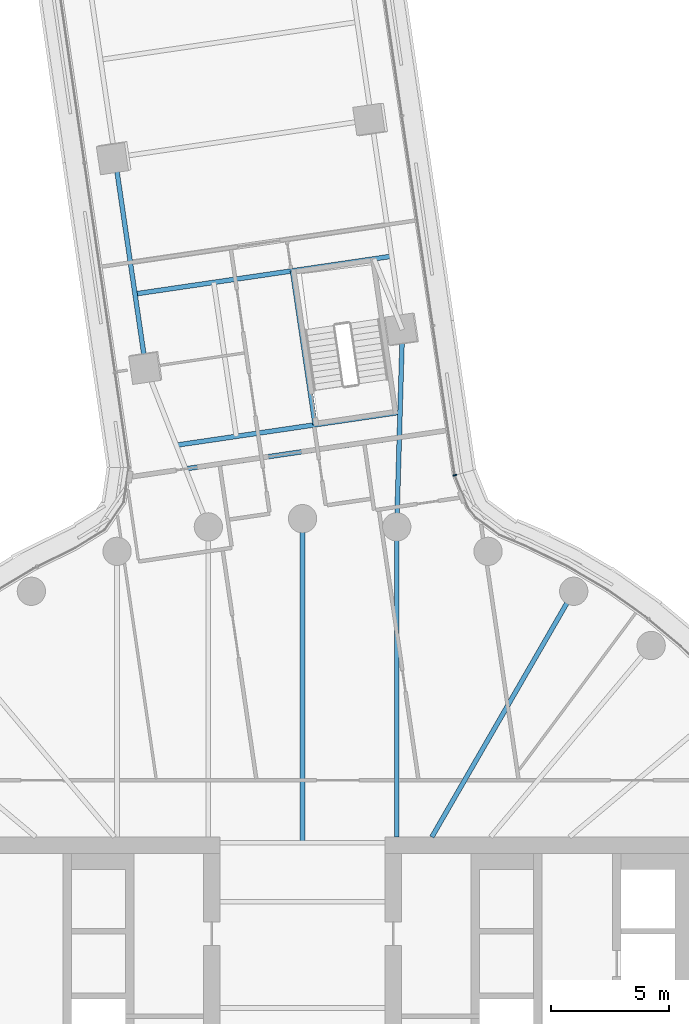
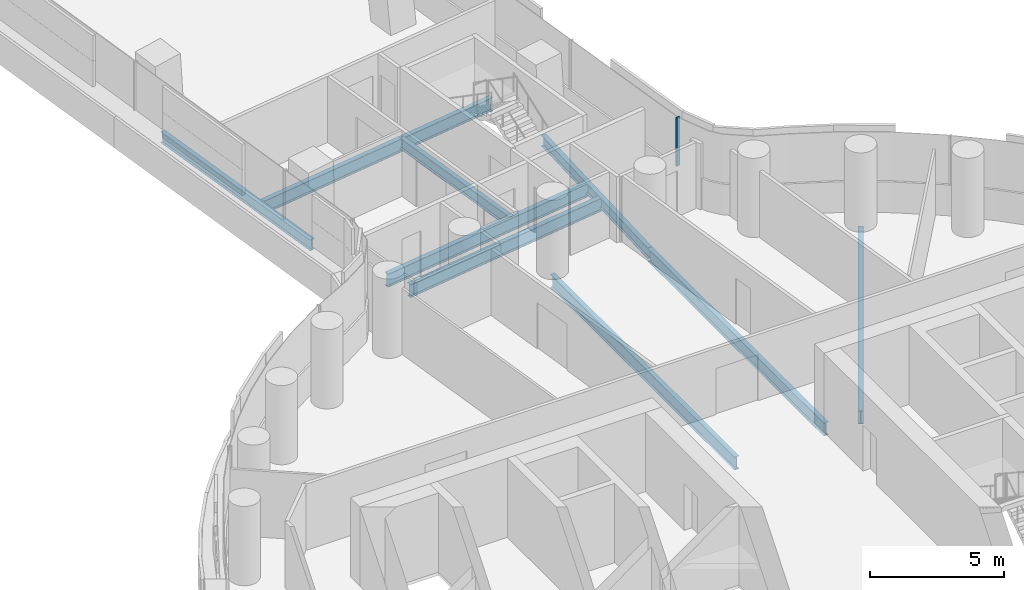
# One storey, part 14 of 31: 9 beams, 1 member, 1 element without a shape of its own.
"""IFC4 building model written with IfcOpenShell, lengths in metres."""

from ifc_helpers import new_model, si_unit, direction, frame, origin, origin_2d, place, context, subcontext, project, spatial, rectangle, i_section, extrude, material, layer, layer_set, material_profile, profile_set, type_object, element, aggregate, save


model = new_model("IFC4")

# Units and contexts
model_context = context("Model", 3, precision=1e-05, world=origin(), true_north=direction((0.0, 1.0)))
body_context = subcontext(model_context, "Body", "Model", "MODEL_VIEW")
ifc_project = project(units=[si_unit("LENGTHUNIT", "METRE"), si_unit("AREAUNIT", "SQUARE_METRE"), si_unit("VOLUMEUNIT", "CUBIC_METRE"), si_unit("PLANEANGLEUNIT", "RADIAN"), si_unit("MASSUNIT", "GRAM", prefix="KILO")], contexts=[model_context])

# Site, building, storey
site_placement = place(None, origin())
site = spatial("IfcSite", under=ifc_project, at=site_placement, CompositionType="ELEMENT")
building_placement = place(site_placement, origin())
building = spatial("IfcBuilding", under=site, at=building_placement, Name="Tamarind Cross Interchange Tower", CompositionType="ELEMENT")
storey_placement = place(building_placement, frame((0.0, 0.0, 64.0)))
storey = spatial("IfcBuildingStorey", under=building, at=storey_placement, Name="L14", CompositionType="ELEMENT", Elevation=64.0)

# Beams
ifc_material_1 = material(Name="Steel Q355B", Category="steel")
ifc_material_profile_1 = material_profile(ifc_material_1, i_section(OverallWidth=0.198974609375, OverallDepth=0.49609375, WebThickness=0.009033203125, FlangeThickness=0.013916015625, FilletRadius=0.012939453125, at=origin_2d()), Name="HN 496x199x9x14")
ifc_profile_set_1 = profile_set([ifc_material_profile_1], Name="Steel Q355B")
beam_type_1 = type_object("IfcBeamType", Name="Composite beam HN 496x199x9x14 Q355B", PredefinedType="BEAM", material=ifc_profile_set_1)
beam_1_placement = place(storey_placement, frame((-7.956298828125, 38.316650390625, -0.387939453125), z_axis=(0.14534716703, -0.989380715921, 0.0), x_axis=(0.989380715921, 0.14534716703, 0.0)))
element("IfcBeam", 1, at=beam_1_placement, inside=storey, type_object=beam_type_1, Name="Beam N-edgeep3", PredefinedType="BEAM", context=body_context, shape_type="SweptSolid", body=[
    extrude(i_section(OverallWidth=0.198974609375, OverallDepth=0.49609375, WebThickness=0.009033203125, FlangeThickness=0.013916015625, FilletRadius=0.012939453125, at=origin_2d()), origin(), (0.0, 0.0, 1.0), 8.999755859375),
])
beam_2_placement = place(storey_placement, frame((4.235107421875, 31.01123046875, -0.387939453125), z_axis=(-0.028838927224, -0.99958407164, 0.0), x_axis=(0.99958407164, -0.028838927224, 0.0)))
element("IfcBeam", 2, at=beam_2_placement, inside=storey, type_object=beam_type_1, Name="Beam N-linkem", PredefinedType="BEAM", context=body_context, shape_type="SweptSolid", body=[
    extrude(i_section(OverallWidth=0.198974609375, OverallDepth=0.49609375, WebThickness=0.009033203125, FlangeThickness=0.013916015625, FilletRadius=0.012939453125, at=origin_2d()), origin(), (0.0, 0.0, 1.0), 8.364013671875),
])
beam_3_placement = place(storey_placement, frame((0.53173828125, 26.980224609375, -0.387939453125), z_axis=(-0.145376844304, 0.989376355661, 0.0), x_axis=(-0.989376355661, -0.145376844304, 0.0)))
element("IfcBeam", 3, at=beam_3_placement, inside=storey, type_object=beam_type_1, Name="Beam N-tr1", PredefinedType="BEAM", context=body_context, shape_type="SweptSolid", body=[
    extrude(i_section(OverallWidth=0.198974609375, OverallDepth=0.49609375, WebThickness=0.009033203125, FlangeThickness=0.013916015625, FilletRadius=0.012939453125, at=origin_2d()), origin(), (0.0, 0.0, 1.0), 6.599853515625),
])
ifc_material_profile_2 = material_profile(ifc_material_1, i_section(OverallWidth=0.198974609375, OverallDepth=0.595947265625, WebThickness=0.010009765625, FlangeThickness=0.014892578125, FilletRadius=0.012939453125, at=origin_2d()), Name="HN 596x199x10x15")
ifc_profile_set_2 = profile_set([ifc_material_profile_2], Name="Steel Q355B")
beam_type_2 = type_object("IfcBeamType", Name="Composite beam HN 596x199x10x15 Q355B", PredefinedType="BEAM", material=ifc_profile_set_2)
beam_4_placement = place(storey_placement, frame((11.5, 19.918701171875, -0.43798828125), z_axis=(-0.499993565836, -0.866029118519, 0.0), x_axis=(0.866029118519, -0.499993565836, 0.0)))
element("IfcBeam", 4, at=beam_4_placement, inside=storey, type_object=beam_type_2, Name="Beam HH06", PredefinedType="BEAM", context=body_context, shape_type="SweptSolid", body=[
    extrude(i_section(OverallWidth=0.198974609375, OverallDepth=0.595947265625, WebThickness=0.010009765625, FlangeThickness=0.014892578125, FilletRadius=0.012939453125, at=origin_2d()), origin(), (0.0, 0.0, 1.0), 12.030517578125),
])
beam_5_placement = place(storey_placement, frame((3.993896484375, 22.650634765625, -0.43798828125), z_axis=(0.0, -1.0, 0.0), x_axis=(1.0, 0.0, 0.0)))
element("IfcBeam", 5, at=beam_5_placement, inside=storey, type_object=beam_type_2, Name="Beam HH08", PredefinedType="BEAM", context=body_context, shape_type="SweptSolid", body=[
    extrude(i_section(OverallWidth=0.198974609375, OverallDepth=0.595947265625, WebThickness=0.010009765625, FlangeThickness=0.014892578125, FilletRadius=0.012939453125, at=origin_2d()), origin(), (0.0, 0.0, 1.0), 13.150634765625),
])
beam_6_placement = place(storey_placement, frame((0.0, 23.0, -0.43798828125), z_axis=(0.0, -1.0, 0.0), x_axis=(1.0, 0.0, 0.0)))
element("IfcBeam", 6, at=beam_6_placement, inside=storey, type_object=beam_type_2, Name="Beam HH09", PredefinedType="BEAM", context=body_context, shape_type="SweptSolid", body=[
    extrude(i_section(OverallWidth=0.198974609375, OverallDepth=0.595947265625, WebThickness=0.010009765625, FlangeThickness=0.014892578125, FilletRadius=0.012939453125, at=origin_2d()), origin(), (0.0, 0.0, 1.0), 13.75),
])
ifc_material_profile_3 = material_profile(ifc_material_1, i_section(OverallWidth=0.199951171875, OverallDepth=0.60009765625, WebThickness=0.010986328125, FlangeThickness=0.01708984375, FilletRadius=0.012939453125, at=origin_2d()), Name="HN 600x200x11x17")
ifc_profile_set_3 = profile_set([ifc_material_profile_3], Name="Steel Q355B")
beam_type_3 = type_object("IfcBeamType", Name="Composite beam HN 600x200x11x17 Q355B", PredefinedType="BEAM", material=ifc_profile_set_3)
beam_7_placement = place(storey_placement, frame((4.134033203125, 27.509521484375, -0.43994140625), z_axis=(-0.989377988892, -0.145365728754, 0.0), x_axis=(0.145365728754, -0.989377988892, 0.0)))
element("IfcBeam", 7, at=beam_7_placement, inside=storey, type_object=beam_type_3, Name="Beam N-x268", PredefinedType="BEAM", context=body_context, shape_type="SweptSolid", body=[
    extrude(i_section(OverallWidth=0.199951171875, OverallDepth=0.60009765625, WebThickness=0.010986328125, FlangeThickness=0.01708984375, FilletRadius=0.012939453125, at=origin_2d()), origin(), (0.0, 0.0, 1.0), 9.58984375),
])
beam_8_placement = place(storey_placement, frame((3.777099609375, 34.1279296875, -0.43994140625), z_axis=(-0.989376512018, -0.145375780194, 0.0), x_axis=(0.145375780194, -0.989376512018, 0.0)))
element("IfcBeam", 8, at=beam_8_placement, inside=storey, type_object=beam_type_3, Name="Beam N-x334", PredefinedType="BEAM", context=body_context, shape_type="SweptSolid", body=[
    extrude(i_section(OverallWidth=0.199951171875, OverallDepth=0.60009765625, WebThickness=0.010986328125, FlangeThickness=0.01708984375, FilletRadius=0.012939453125, at=origin_2d()), origin(), (0.0, 0.0, 1.0), 11.0),
])
beam_9_placement = place(storey_placement, frame((4.103271484375, 26.443603515625, -0.43994140625), z_axis=(-0.989379886196, -0.145352814872, 0.0), x_axis=(0.145352814872, -0.989379886196, 0.0)))
element("IfcBeam", 9, at=beam_9_placement, inside=storey, type_object=beam_type_3, Name="Beam N-x258", PredefinedType="BEAM", context=body_context, shape_type="SweptSolid", body=[
    extrude(i_section(OverallWidth=0.199951171875, OverallDepth=0.60009765625, WebThickness=0.010986328125, FlangeThickness=0.01708984375, FilletRadius=0.012939453125, at=origin_2d()), origin(), (0.0, 0.0, 1.0), 9.16064453125),
])

# Curtain wall, member
ifc_material_2 = material(Name="Aluminium 6063-T6", Category="aluminium")
ifc_layer = layer(ifc_material_2, 0.159912109375)
ifc_layer_set = layer_set([ifc_layer], Name="Aluminium 6063-T6")
curtain_wall_type = type_object("IfcCurtainWallType", Name="Office curtain wall, 9.0 m bays", PredefinedType="NOTDEFINED", material=ifc_layer_set)
curtain_wall_placement = place(storey_placement, origin())
curtain_wall = element("IfcCurtainWall", 10, at=curtain_wall_placement, inside=storey, type_object=curtain_wall_type, Name="CWS-L14-11", PredefinedType="NOTDEFINED")
ifc_material_profile_4 = material_profile(ifc_material_2, rectangle(XDim=0.06005859375, YDim=0.159912109375, at=origin_2d()), Name="Mullion CW1")
ifc_profile_set_4 = profile_set([ifc_material_profile_4], Name="Aluminium 6063-T6")
member_type = type_object("IfcMemberType", Name="Mullion CW1", PredefinedType="MULLION", material=ifc_profile_set_4)
member_placement = place(storey_placement, frame((6.45556640625, 24.841796875, 1.39990234375), z_axis=(0.0, 0.0, 1.0), x_axis=(-0.262343830575, 0.964974463164, 0.0)))
member = element("IfcMember", 11, at=member_placement, type_object=member_type, Name="CWM-L14-11-00", PredefinedType="MULLION", context=body_context, shape_type="SweptSolid", body=[
    extrude(rectangle(XDim=0.06005859375, YDim=0.159912109375, at=origin_2d()), origin(), (0.0, 0.0, 1.0), 2.210205078125),
])
aggregate(curtain_wall, [member])

save(model, "model.ifc")
